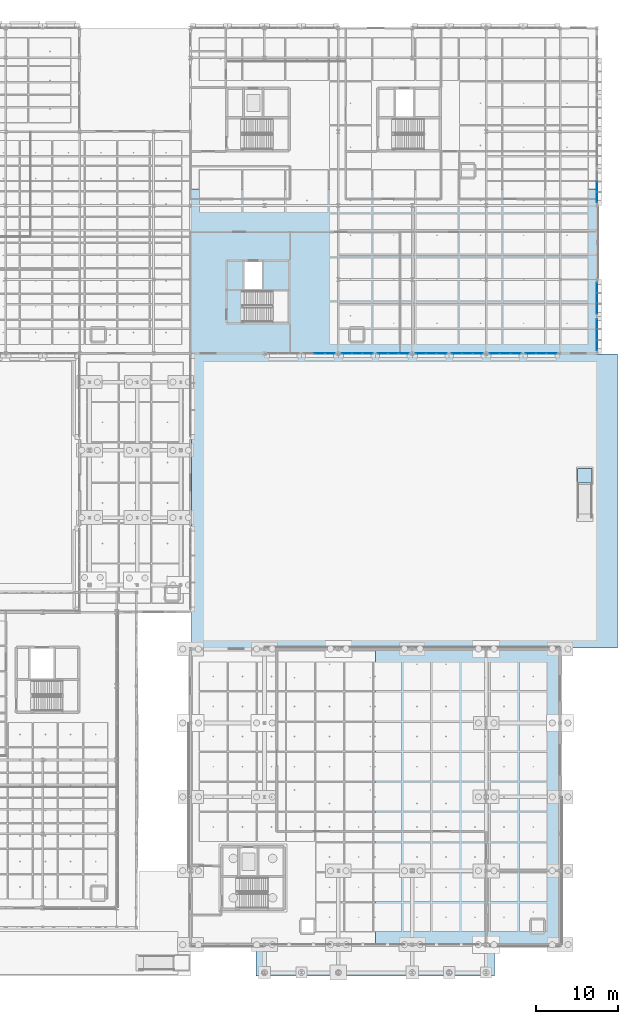
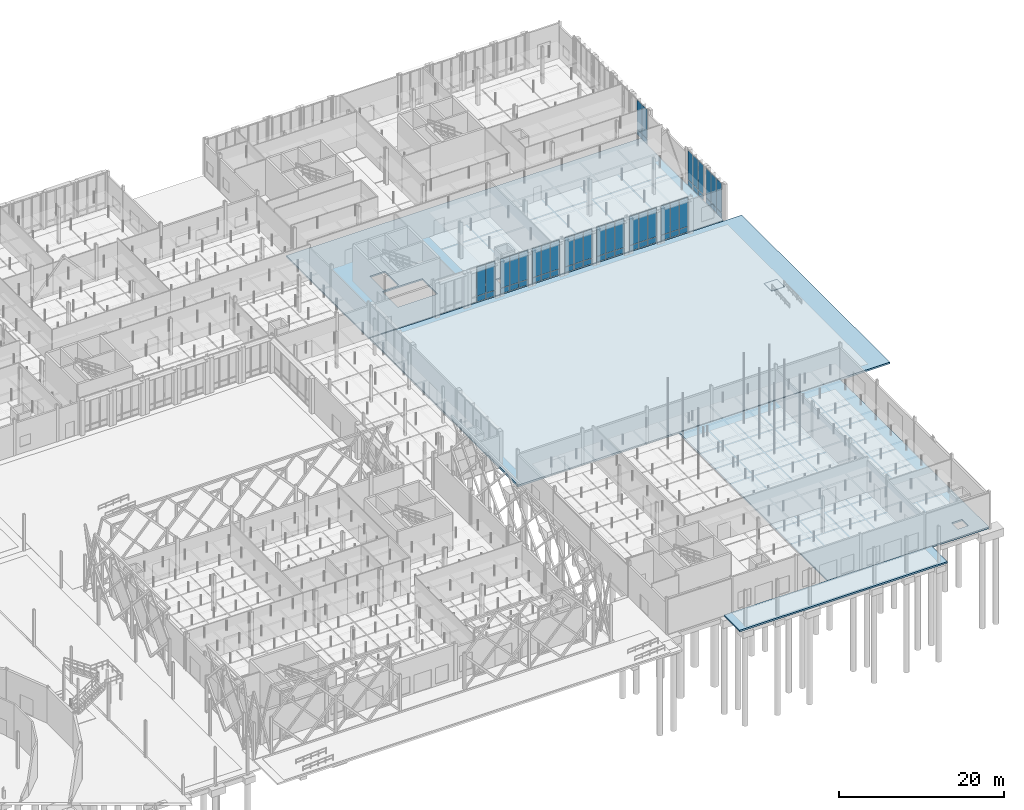
# One storey, part 74 of 180: 56 plates, 5 slabs, 11 elements without a shape of their own.
"""IFC4 building model written with IfcOpenShell, lengths in metres."""

from ifc_helpers import new_model, si_unit, direction, frame, origin, origin_2d, place, context, subcontext, project, spatial, polyline, rectangle, outline, extrude, material, layer, layer_set, type_object, element, aggregate, save


model = new_model("IFC4")

# Units and contexts
model_context = context("Model", 3, precision=1e-05, world=origin(), true_north=direction((0.0, 1.0)))
body_context = subcontext(model_context, "Body", "Model", "MODEL_VIEW")
ifc_project = project(units=[si_unit("LENGTHUNIT", "METRE"), si_unit("AREAUNIT", "SQUARE_METRE"), si_unit("VOLUMEUNIT", "CUBIC_METRE"), si_unit("PLANEANGLEUNIT", "RADIAN"), si_unit("MASSUNIT", "GRAM", prefix="KILO"), si_unit("THERMODYNAMICTEMPERATUREUNIT", "KELVIN"), si_unit("POWERUNIT", "WATT")], contexts=[model_context])

# Site, building, storey
site_placement = place(None, origin())
site = spatial("IfcSite", under=ifc_project, at=site_placement, CompositionType="ELEMENT")
building_placement = place(site_placement, origin())
building = spatial("IfcBuilding", under=site, at=building_placement, Name="Tallowbark Science Centre", CompositionType="ELEMENT")
storey_placement = place(building_placement, origin())
storey = spatial("IfcBuildingStorey", under=building, at=storey_placement, Name="L00", CompositionType="ELEMENT", Elevation=0.0)

# Curtain wall, plates
ifc_material_1 = material(Name="Unitised Thermally Broken Aluminium and Low-E Double Glazing", Category="aluminium")
curtain_wall_type = type_object("IfcCurtainWallType", Name="CW-SYS-FACADE", PredefinedType="NOTDEFINED", material=ifc_material_1)
curtain_wall_1_placement = place(storey_placement, origin())
curtain_wall_1 = element("IfcCurtainWall", 1, at=curtain_wall_1_placement, inside=storey, type_object=curtain_wall_type, Name="Unitised Curtain Wall OBS-S-130B CW-L00-097", PredefinedType="NOTDEFINED")
ifc_material_2 = material(Name="Double Glazed Argon Low-E Vision Glass", Category="glass")
ifc_layer_1 = layer(ifc_material_2, 0.028076171875)
ifc_layer_set_1 = layer_set([ifc_layer_1], Name="Double Glazed Argon Low-E Vision Glass")
plate_type_1 = type_object("IfcPlateType", Name="CWP-GLZ-28", PredefinedType="CURTAIN_PANEL", material=ifc_layer_set_1)
plate_1_placement = place(storey_placement, frame((135.916259765625, 72.0, 0.054931640625), z_axis=(0.0, 0.0, 1.0), x_axis=(1.0, 0.0, 0.0)))
plate_1 = element("IfcPlate", 2, at=plate_1_placement, type_object=plate_type_1, Name="CW-01 panel 1.1", PredefinedType="CURTAIN_PANEL", context=body_context, shape_type="SweptSolid", body=[
    extrude(rectangle(XDim=1.202392578125, YDim=0.028076171875, at=origin_2d()), origin(), (0.0, 0.0, 1.0), 0.767578125),
])
plate_2_placement = place(storey_placement, frame((135.916259765625, 72.0, 0.87744140625), z_axis=(0.0, 0.0, 1.0), x_axis=(1.0, 0.0, 0.0)))
plate_2 = element("IfcPlate", 3, at=plate_2_placement, type_object=plate_type_1, Name="CW-01 panel 1.2", PredefinedType="CURTAIN_PANEL", context=body_context, shape_type="SweptSolid", body=[
    extrude(rectangle(XDim=1.202392578125, YDim=0.028076171875, at=origin_2d()), origin(), (0.0, 0.0, 1.0), 4.28759765625),
])
plate_3_placement = place(storey_placement, frame((137.199951171875, 72.0, 0.054931640625), z_axis=(0.0, 0.0, 1.0), x_axis=(1.0, 0.0, 0.0)))
plate_3 = element("IfcPlate", 4, at=plate_3_placement, type_object=plate_type_1, Name="CW-01 panel 2.1", PredefinedType="CURTAIN_PANEL", context=body_context, shape_type="SweptSolid", body=[
    extrude(rectangle(XDim=1.235107421875, YDim=0.028076171875, at=origin_2d()), origin(), (0.0, 0.0, 1.0), 0.767578125),
])
plate_4_placement = place(storey_placement, frame((137.199951171875, 72.0, 0.87744140625), z_axis=(0.0, 0.0, 1.0), x_axis=(1.0, 0.0, 0.0)))
plate_4 = element("IfcPlate", 5, at=plate_4_placement, type_object=plate_type_1, Name="CW-01 panel 2.2", PredefinedType="CURTAIN_PANEL", context=body_context, shape_type="SweptSolid", body=[
    extrude(rectangle(XDim=1.235107421875, YDim=0.028076171875, at=origin_2d()), origin(), (0.0, 0.0, 1.0), 4.28759765625),
])
plate_5_placement = place(storey_placement, frame((138.483642578125, 72.0, 0.054931640625), z_axis=(0.0, 0.0, 1.0), x_axis=(1.0, 0.0, 0.0)))
plate_5 = element("IfcPlate", 6, at=plate_5_placement, type_object=plate_type_1, Name="CW-01 panel 3.1", PredefinedType="CURTAIN_PANEL", context=body_context, shape_type="SweptSolid", body=[
    extrude(rectangle(XDim=1.202392578125, YDim=0.028076171875, at=origin_2d()), origin(), (0.0, 0.0, 1.0), 0.767578125),
])
plate_6_placement = place(storey_placement, frame((138.483642578125, 72.0, 0.87744140625), z_axis=(0.0, 0.0, 1.0), x_axis=(1.0, 0.0, 0.0)))
plate_6 = element("IfcPlate", 7, at=plate_6_placement, type_object=plate_type_1, Name="CW-01 panel 3.2", PredefinedType="CURTAIN_PANEL", context=body_context, shape_type="SweptSolid", body=[
    extrude(rectangle(XDim=1.202392578125, YDim=0.028076171875, at=origin_2d()), origin(), (0.0, 0.0, 1.0), 4.28759765625),
])
aggregate(curtain_wall_1, [plate_1, plate_2, plate_3, plate_4, plate_5, plate_6])

curtain_wall_2_placement = place(storey_placement, origin())
curtain_wall_2 = element("IfcCurtainWall", 8, at=curtain_wall_2_placement, inside=storey, type_object=curtain_wall_type, Name="Unitised Curtain Wall OBS-S-139A CW-L00-098", PredefinedType="NOTDEFINED")
plate_7_placement = place(storey_placement, frame((140.516357421875, 72.0, 0.054931640625), z_axis=(0.0, 0.0, 1.0), x_axis=(1.0, 0.0, 0.0)))
plate_7 = element("IfcPlate", 9, at=plate_7_placement, type_object=plate_type_1, Name="CW-01 panel 1.1", PredefinedType="CURTAIN_PANEL", context=body_context, shape_type="SweptSolid", body=[
    extrude(rectangle(XDim=1.202392578125, YDim=0.028076171875, at=origin_2d()), origin(), (0.0, 0.0, 1.0), 0.767578125),
])
plate_8_placement = place(storey_placement, frame((140.516357421875, 72.0, 0.87744140625), z_axis=(0.0, 0.0, 1.0), x_axis=(1.0, 0.0, 0.0)))
plate_8 = element("IfcPlate", 10, at=plate_8_placement, type_object=plate_type_1, Name="CW-01 panel 1.2", PredefinedType="CURTAIN_PANEL", context=body_context, shape_type="SweptSolid", body=[
    extrude(rectangle(XDim=1.202392578125, YDim=0.028076171875, at=origin_2d()), origin(), (0.0, 0.0, 1.0), 4.28759765625),
])
plate_9_placement = place(storey_placement, frame((141.800048828125, 72.0, 0.054931640625), z_axis=(0.0, 0.0, 1.0), x_axis=(1.0, 0.0, 0.0)))
plate_9 = element("IfcPlate", 11, at=plate_9_placement, type_object=plate_type_1, Name="CW-01 panel 2.1", PredefinedType="CURTAIN_PANEL", context=body_context, shape_type="SweptSolid", body=[
    extrude(rectangle(XDim=1.235107421875, YDim=0.028076171875, at=origin_2d()), origin(), (0.0, 0.0, 1.0), 0.767578125),
])
plate_10_placement = place(storey_placement, frame((141.800048828125, 72.0, 0.87744140625), z_axis=(0.0, 0.0, 1.0), x_axis=(1.0, 0.0, 0.0)))
plate_10 = element("IfcPlate", 12, at=plate_10_placement, type_object=plate_type_1, Name="CW-01 panel 2.2", PredefinedType="CURTAIN_PANEL", context=body_context, shape_type="SweptSolid", body=[
    extrude(rectangle(XDim=1.235107421875, YDim=0.028076171875, at=origin_2d()), origin(), (0.0, 0.0, 1.0), 4.28759765625),
])
plate_11_placement = place(storey_placement, frame((143.083740234375, 72.0, 0.054931640625), z_axis=(0.0, 0.0, 1.0), x_axis=(1.0, 0.0, 0.0)))
plate_11 = element("IfcPlate", 13, at=plate_11_placement, type_object=plate_type_1, Name="CW-01 panel 3.1", PredefinedType="CURTAIN_PANEL", context=body_context, shape_type="SweptSolid", body=[
    extrude(rectangle(XDim=1.202392578125, YDim=0.028076171875, at=origin_2d()), origin(), (0.0, 0.0, 1.0), 0.767578125),
])
plate_12_placement = place(storey_placement, frame((143.083740234375, 72.0, 0.87744140625), z_axis=(0.0, 0.0, 1.0), x_axis=(1.0, 0.0, 0.0)))
plate_12 = element("IfcPlate", 14, at=plate_12_placement, type_object=plate_type_1, Name="CW-01 panel 3.2", PredefinedType="CURTAIN_PANEL", context=body_context, shape_type="SweptSolid", body=[
    extrude(rectangle(XDim=1.202392578125, YDim=0.028076171875, at=origin_2d()), origin(), (0.0, 0.0, 1.0), 4.28759765625),
])
aggregate(curtain_wall_2, [plate_7, plate_8, plate_9, plate_10, plate_11, plate_12])

curtain_wall_3_placement = place(storey_placement, origin())
curtain_wall_3 = element("IfcCurtainWall", 15, at=curtain_wall_3_placement, inside=storey, type_object=curtain_wall_type, Name="Unitised Curtain Wall OBS-S-148B CW-L00-103", PredefinedType="NOTDEFINED")
plate_13_placement = place(storey_placement, frame((153.916259765625, 72.0, 0.054931640625), z_axis=(0.0, 0.0, 1.0), x_axis=(1.0, 0.0, 0.0)))
plate_13 = element("IfcPlate", 16, at=plate_13_placement, type_object=plate_type_1, Name="CW-01 panel 1.1", PredefinedType="CURTAIN_PANEL", context=body_context, shape_type="SweptSolid", body=[
    extrude(rectangle(XDim=1.202392578125, YDim=0.028076171875, at=origin_2d()), origin(), (0.0, 0.0, 1.0), 0.767578125),
])
plate_14_placement = place(storey_placement, frame((153.916259765625, 72.0, 0.87744140625), z_axis=(0.0, 0.0, 1.0), x_axis=(1.0, 0.0, 0.0)))
plate_14 = element("IfcPlate", 17, at=plate_14_placement, type_object=plate_type_1, Name="CW-01 panel 1.2", PredefinedType="CURTAIN_PANEL", context=body_context, shape_type="SweptSolid", body=[
    extrude(rectangle(XDim=1.202392578125, YDim=0.028076171875, at=origin_2d()), origin(), (0.0, 0.0, 1.0), 4.28759765625),
])
plate_15_placement = place(storey_placement, frame((155.199951171875, 72.0, 0.054931640625), z_axis=(0.0, 0.0, 1.0), x_axis=(1.0, 0.0, 0.0)))
plate_15 = element("IfcPlate", 18, at=plate_15_placement, type_object=plate_type_1, Name="CW-01 panel 2.1", PredefinedType="CURTAIN_PANEL", context=body_context, shape_type="SweptSolid", body=[
    extrude(rectangle(XDim=1.235107421875, YDim=0.028076171875, at=origin_2d()), origin(), (0.0, 0.0, 1.0), 0.767578125),
])
plate_16_placement = place(storey_placement, frame((155.199951171875, 72.0, 0.87744140625), z_axis=(0.0, 0.0, 1.0), x_axis=(1.0, 0.0, 0.0)))
plate_16 = element("IfcPlate", 19, at=plate_16_placement, type_object=plate_type_1, Name="CW-01 panel 2.2", PredefinedType="CURTAIN_PANEL", context=body_context, shape_type="SweptSolid", body=[
    extrude(rectangle(XDim=1.235107421875, YDim=0.028076171875, at=origin_2d()), origin(), (0.0, 0.0, 1.0), 4.28759765625),
])
plate_17_placement = place(storey_placement, frame((156.483642578125, 72.0, 0.054931640625), z_axis=(0.0, 0.0, 1.0), x_axis=(1.0, 0.0, 0.0)))
plate_17 = element("IfcPlate", 20, at=plate_17_placement, type_object=plate_type_1, Name="CW-01 panel 3.1", PredefinedType="CURTAIN_PANEL", context=body_context, shape_type="SweptSolid", body=[
    extrude(rectangle(XDim=1.202392578125, YDim=0.028076171875, at=origin_2d()), origin(), (0.0, 0.0, 1.0), 0.767578125),
])
plate_18_placement = place(storey_placement, frame((156.483642578125, 72.0, 0.87744140625), z_axis=(0.0, 0.0, 1.0), x_axis=(1.0, 0.0, 0.0)))
plate_18 = element("IfcPlate", 21, at=plate_18_placement, type_object=plate_type_1, Name="CW-01 panel 3.2", PredefinedType="CURTAIN_PANEL", context=body_context, shape_type="SweptSolid", body=[
    extrude(rectangle(XDim=1.202392578125, YDim=0.028076171875, at=origin_2d()), origin(), (0.0, 0.0, 1.0), 4.28759765625),
])
aggregate(curtain_wall_3, [plate_13, plate_14, plate_15, plate_16, plate_17, plate_18])

curtain_wall_4_placement = place(storey_placement, origin())
curtain_wall_4 = element("IfcCurtainWall", 22, at=curtain_wall_4_placement, inside=storey, type_object=curtain_wall_type, Name="Unitised Curtain Wall OBS-E-72A CW-L00-106", PredefinedType="NOTDEFINED")
plate_19_placement = place(storey_placement, frame((162.0, 73.016357421875, 0.054931640625), z_axis=(0.0, 0.0, 1.0), x_axis=(0.0, 1.0, 0.0)))
plate_19 = element("IfcPlate", 23, at=plate_19_placement, type_object=plate_type_1, Name="CW-01 panel 1.1", PredefinedType="CURTAIN_PANEL", context=body_context, shape_type="SweptSolid", body=[
    extrude(rectangle(XDim=1.202392578125, YDim=0.028076171875, at=origin_2d()), origin(), (0.0, 0.0, 1.0), 0.767578125),
])
plate_20_placement = place(storey_placement, frame((162.0, 73.016357421875, 0.87744140625), z_axis=(0.0, 0.0, 1.0), x_axis=(0.0, 1.0, 0.0)))
plate_20 = element("IfcPlate", 24, at=plate_20_placement, type_object=plate_type_1, Name="CW-01 panel 1.2", PredefinedType="CURTAIN_PANEL", context=body_context, shape_type="SweptSolid", body=[
    extrude(rectangle(XDim=1.202392578125, YDim=0.028076171875, at=origin_2d()), origin(), (0.0, 0.0, 1.0), 4.28759765625),
])
plate_21_placement = place(storey_placement, frame((162.0, 74.300048828125, 0.054931640625), z_axis=(0.0, 0.0, 1.0), x_axis=(0.0, 1.0, 0.0)))
plate_21 = element("IfcPlate", 25, at=plate_21_placement, type_object=plate_type_1, Name="CW-01 panel 2.1", PredefinedType="CURTAIN_PANEL", context=body_context, shape_type="SweptSolid", body=[
    extrude(rectangle(XDim=1.235107421875, YDim=0.028076171875, at=origin_2d()), origin(), (0.0, 0.0, 1.0), 0.767578125),
])
plate_22_placement = place(storey_placement, frame((162.0, 74.300048828125, 0.87744140625), z_axis=(0.0, 0.0, 1.0), x_axis=(0.0, 1.0, 0.0)))
plate_22 = element("IfcPlate", 26, at=plate_22_placement, type_object=plate_type_1, Name="CW-01 panel 2.2", PredefinedType="CURTAIN_PANEL", context=body_context, shape_type="SweptSolid", body=[
    extrude(rectangle(XDim=1.235107421875, YDim=0.028076171875, at=origin_2d()), origin(), (0.0, 0.0, 1.0), 4.28759765625),
])
plate_23_placement = place(storey_placement, frame((162.0, 75.583740234375, 0.054931640625), z_axis=(0.0, 0.0, 1.0), x_axis=(0.0, 1.0, 0.0)))
plate_23 = element("IfcPlate", 27, at=plate_23_placement, type_object=plate_type_1, Name="CW-01 panel 3.1", PredefinedType="CURTAIN_PANEL", context=body_context, shape_type="SweptSolid", body=[
    extrude(rectangle(XDim=1.202392578125, YDim=0.028076171875, at=origin_2d()), origin(), (0.0, 0.0, 1.0), 0.767578125),
])
plate_24_placement = place(storey_placement, frame((162.0, 75.583740234375, 0.87744140625), z_axis=(0.0, 0.0, 1.0), x_axis=(0.0, 1.0, 0.0)))
plate_24 = element("IfcPlate", 28, at=plate_24_placement, type_object=plate_type_1, Name="CW-01 panel 3.2", PredefinedType="CURTAIN_PANEL", context=body_context, shape_type="SweptSolid", body=[
    extrude(rectangle(XDim=1.202392578125, YDim=0.028076171875, at=origin_2d()), origin(), (0.0, 0.0, 1.0), 4.28759765625),
])
aggregate(curtain_wall_4, [plate_19, plate_20, plate_21, plate_22, plate_23, plate_24])

curtain_wall_5_placement = place(storey_placement, origin())
curtain_wall_5 = element("IfcCurtainWall", 29, at=curtain_wall_5_placement, inside=storey, type_object=curtain_wall_type, Name="Unitised Curtain Wall OBS-E-72B CW-L00-107", PredefinedType="NOTDEFINED")
plate_25_placement = place(storey_placement, frame((162.0, 77.416259765625, 0.054931640625), z_axis=(0.0, 0.0, 1.0), x_axis=(0.0, 1.0, 0.0)))
plate_25 = element("IfcPlate", 30, at=plate_25_placement, type_object=plate_type_1, Name="CW-01 panel 1.1", PredefinedType="CURTAIN_PANEL", context=body_context, shape_type="SweptSolid", body=[
    extrude(rectangle(XDim=1.202392578125, YDim=0.028076171875, at=origin_2d()), origin(), (0.0, 0.0, 1.0), 0.767578125),
])
plate_26_placement = place(storey_placement, frame((162.0, 77.416259765625, 0.87744140625), z_axis=(0.0, 0.0, 1.0), x_axis=(0.0, 1.0, 0.0)))
plate_26 = element("IfcPlate", 31, at=plate_26_placement, type_object=plate_type_1, Name="CW-01 panel 1.2", PredefinedType="CURTAIN_PANEL", context=body_context, shape_type="SweptSolid", body=[
    extrude(rectangle(XDim=1.202392578125, YDim=0.028076171875, at=origin_2d()), origin(), (0.0, 0.0, 1.0), 4.28759765625),
])
plate_27_placement = place(storey_placement, frame((162.0, 78.699951171875, 0.054931640625), z_axis=(0.0, 0.0, 1.0), x_axis=(0.0, 1.0, 0.0)))
plate_27 = element("IfcPlate", 32, at=plate_27_placement, type_object=plate_type_1, Name="CW-01 panel 2.1", PredefinedType="CURTAIN_PANEL", context=body_context, shape_type="SweptSolid", body=[
    extrude(rectangle(XDim=1.235107421875, YDim=0.028076171875, at=origin_2d()), origin(), (0.0, 0.0, 1.0), 0.767578125),
])
plate_28_placement = place(storey_placement, frame((162.0, 78.699951171875, 0.87744140625), z_axis=(0.0, 0.0, 1.0), x_axis=(0.0, 1.0, 0.0)))
plate_28 = element("IfcPlate", 33, at=plate_28_placement, type_object=plate_type_1, Name="CW-01 panel 2.2", PredefinedType="CURTAIN_PANEL", context=body_context, shape_type="SweptSolid", body=[
    extrude(rectangle(XDim=1.235107421875, YDim=0.028076171875, at=origin_2d()), origin(), (0.0, 0.0, 1.0), 4.28759765625),
])
plate_29_placement = place(storey_placement, frame((162.0, 79.983642578125, 0.054931640625), z_axis=(0.0, 0.0, 1.0), x_axis=(0.0, 1.0, 0.0)))
plate_29 = element("IfcPlate", 34, at=plate_29_placement, type_object=plate_type_1, Name="CW-01 panel 3.1", PredefinedType="CURTAIN_PANEL", context=body_context, shape_type="SweptSolid", body=[
    extrude(rectangle(XDim=1.202392578125, YDim=0.028076171875, at=origin_2d()), origin(), (0.0, 0.0, 1.0), 0.767578125),
])
plate_30_placement = place(storey_placement, frame((162.0, 79.983642578125, 0.87744140625), z_axis=(0.0, 0.0, 1.0), x_axis=(0.0, 1.0, 0.0)))
plate_30 = element("IfcPlate", 35, at=plate_30_placement, type_object=plate_type_1, Name="CW-01 panel 3.2", PredefinedType="CURTAIN_PANEL", context=body_context, shape_type="SweptSolid", body=[
    extrude(rectangle(XDim=1.202392578125, YDim=0.028076171875, at=origin_2d()), origin(), (0.0, 0.0, 1.0), 4.28759765625),
])
aggregate(curtain_wall_5, [plate_25, plate_26, plate_27, plate_28, plate_29, plate_30])

curtain_wall_6_placement = place(storey_placement, origin())
curtain_wall_6 = element("IfcCurtainWall", 36, at=curtain_wall_6_placement, inside=storey, type_object=curtain_wall_type, Name="Unitised Curtain Wall OBS-S-121B CW-L00-093", PredefinedType="NOTDEFINED")
ifc_material_3 = material(Name="Ceramic-Fritted Insulated Glass Spandrel Panel", Category="glass")
ifc_layer_2 = layer(ifc_material_3, 0.031982421875)
ifc_layer_set_2 = layer_set([ifc_layer_2], Name="Ceramic-Fritted Insulated Glass Spandrel Panel")
plate_type_2 = type_object("IfcPlateType", Name="CWP-SPN-32", PredefinedType="CURTAIN_PANEL", material=ifc_layer_set_2)
plate_31_placement = place(storey_placement, frame((128.199951171875, 72.0, 0.054931640625), z_axis=(0.0, 0.0, 1.0), x_axis=(1.0, 0.0, 0.0)))
plate_31 = element("IfcPlate", 37, at=plate_31_placement, type_object=plate_type_2, Name="CW-01 panel 2.1", PredefinedType="CURTAIN_PANEL", context=body_context, shape_type="SweptSolid", body=[
    extrude(rectangle(XDim=1.235107421875, YDim=0.031982421875, at=origin_2d()), origin(), (0.0, 0.0, 1.0), 0.767578125),
])
plate_32_placement = place(storey_placement, frame((128.199951171875, 72.0, 0.87744140625), z_axis=(0.0, 0.0, 1.0), x_axis=(1.0, 0.0, 0.0)))
plate_32 = element("IfcPlate", 38, at=plate_32_placement, type_object=plate_type_2, Name="CW-01 panel 2.2", PredefinedType="CURTAIN_PANEL", context=body_context, shape_type="SweptSolid", body=[
    extrude(rectangle(XDim=1.235107421875, YDim=0.031982421875, at=origin_2d()), origin(), (0.0, 0.0, 1.0), 4.28759765625),
])
plate_33_placement = place(storey_placement, frame((129.483642578125, 72.0, 0.054931640625), z_axis=(0.0, 0.0, 1.0), x_axis=(1.0, 0.0, 0.0)))
plate_33 = element("IfcPlate", 39, at=plate_33_placement, type_object=plate_type_2, Name="CW-01 panel 3.1", PredefinedType="CURTAIN_PANEL", context=body_context, shape_type="SweptSolid", body=[
    extrude(rectangle(XDim=1.202392578125, YDim=0.031982421875, at=origin_2d()), origin(), (0.0, 0.0, 1.0), 0.767578125),
])
plate_34_placement = place(storey_placement, frame((129.483642578125, 72.0, 0.87744140625), z_axis=(0.0, 0.0, 1.0), x_axis=(1.0, 0.0, 0.0)))
plate_34 = element("IfcPlate", 40, at=plate_34_placement, type_object=plate_type_2, Name="CW-01 panel 3.2", PredefinedType="CURTAIN_PANEL", context=body_context, shape_type="SweptSolid", body=[
    extrude(rectangle(XDim=1.202392578125, YDim=0.031982421875, at=origin_2d()), origin(), (0.0, 0.0, 1.0), 4.28759765625),
])
aggregate(curtain_wall_6, [plate_31, plate_32, plate_33, plate_34])

curtain_wall_7_placement = place(storey_placement, origin())
curtain_wall_7 = element("IfcCurtainWall", 41, at=curtain_wall_7_placement, inside=storey, type_object=curtain_wall_type, Name="Unitised Curtain Wall OBS-S-130A CW-L00-096", PredefinedType="NOTDEFINED")
plate_35_placement = place(storey_placement, frame((131.516357421875, 72.0, 0.054931640625), z_axis=(0.0, 0.0, 1.0), x_axis=(1.0, 0.0, 0.0)))
plate_35 = element("IfcPlate", 42, at=plate_35_placement, type_object=plate_type_2, Name="CW-01 panel 1.1", PredefinedType="CURTAIN_PANEL", context=body_context, shape_type="SweptSolid", body=[
    extrude(rectangle(XDim=1.202392578125, YDim=0.031982421875, at=origin_2d()), origin(), (0.0, 0.0, 1.0), 0.767578125),
])
plate_36_placement = place(storey_placement, frame((131.516357421875, 72.0, 0.87744140625), z_axis=(0.0, 0.0, 1.0), x_axis=(1.0, 0.0, 0.0)))
plate_36 = element("IfcPlate", 43, at=plate_36_placement, type_object=plate_type_2, Name="CW-01 panel 1.2", PredefinedType="CURTAIN_PANEL", context=body_context, shape_type="SweptSolid", body=[
    extrude(rectangle(XDim=1.202392578125, YDim=0.031982421875, at=origin_2d()), origin(), (0.0, 0.0, 1.0), 4.28759765625),
])
plate_37_placement = place(storey_placement, frame((132.800048828125, 72.0, 0.054931640625), z_axis=(0.0, 0.0, 1.0), x_axis=(1.0, 0.0, 0.0)))
plate_37 = element("IfcPlate", 44, at=plate_37_placement, type_object=plate_type_2, Name="CW-01 panel 2.1", PredefinedType="CURTAIN_PANEL", context=body_context, shape_type="SweptSolid", body=[
    extrude(rectangle(XDim=1.235107421875, YDim=0.031982421875, at=origin_2d()), origin(), (0.0, 0.0, 1.0), 0.767578125),
])
plate_38_placement = place(storey_placement, frame((132.800048828125, 72.0, 0.87744140625), z_axis=(0.0, 0.0, 1.0), x_axis=(1.0, 0.0, 0.0)))
plate_38 = element("IfcPlate", 45, at=plate_38_placement, type_object=plate_type_2, Name="CW-01 panel 2.2", PredefinedType="CURTAIN_PANEL", context=body_context, shape_type="SweptSolid", body=[
    extrude(rectangle(XDim=1.235107421875, YDim=0.031982421875, at=origin_2d()), origin(), (0.0, 0.0, 1.0), 4.28759765625),
])
plate_39_placement = place(storey_placement, frame((134.083740234375, 72.0, 0.054931640625), z_axis=(0.0, 0.0, 1.0), x_axis=(1.0, 0.0, 0.0)))
plate_39 = element("IfcPlate", 46, at=plate_39_placement, type_object=plate_type_2, Name="CW-01 panel 3.1", PredefinedType="CURTAIN_PANEL", context=body_context, shape_type="SweptSolid", body=[
    extrude(rectangle(XDim=1.202392578125, YDim=0.031982421875, at=origin_2d()), origin(), (0.0, 0.0, 1.0), 0.767578125),
])
plate_40_placement = place(storey_placement, frame((134.083740234375, 72.0, 0.87744140625), z_axis=(0.0, 0.0, 1.0), x_axis=(1.0, 0.0, 0.0)))
plate_40 = element("IfcPlate", 47, at=plate_40_placement, type_object=plate_type_2, Name="CW-01 panel 3.2", PredefinedType="CURTAIN_PANEL", context=body_context, shape_type="SweptSolid", body=[
    extrude(rectangle(XDim=1.202392578125, YDim=0.031982421875, at=origin_2d()), origin(), (0.0, 0.0, 1.0), 4.28759765625),
])
aggregate(curtain_wall_7, [plate_35, plate_36, plate_37, plate_38, plate_39, plate_40])

curtain_wall_8_placement = place(storey_placement, origin())
curtain_wall_8 = element("IfcCurtainWall", 48, at=curtain_wall_8_placement, inside=storey, type_object=curtain_wall_type, Name="Unitised Curtain Wall OBS-S-139B CW-L00-099", PredefinedType="NOTDEFINED")
plate_41_placement = place(storey_placement, frame((144.916259765625, 72.0, 0.054931640625), z_axis=(0.0, 0.0, 1.0), x_axis=(1.0, 0.0, 0.0)))
plate_41 = element("IfcPlate", 49, at=plate_41_placement, type_object=plate_type_2, Name="CW-01 panel 1.1", PredefinedType="CURTAIN_PANEL", context=body_context, shape_type="SweptSolid", body=[
    extrude(rectangle(XDim=1.202392578125, YDim=0.031982421875, at=origin_2d()), origin(), (0.0, 0.0, 1.0), 0.767578125),
])
plate_42_placement = place(storey_placement, frame((144.916259765625, 72.0, 0.87744140625), z_axis=(0.0, 0.0, 1.0), x_axis=(1.0, 0.0, 0.0)))
plate_42 = element("IfcPlate", 50, at=plate_42_placement, type_object=plate_type_2, Name="CW-01 panel 1.2", PredefinedType="CURTAIN_PANEL", context=body_context, shape_type="SweptSolid", body=[
    extrude(rectangle(XDim=1.202392578125, YDim=0.031982421875, at=origin_2d()), origin(), (0.0, 0.0, 1.0), 4.28759765625),
])
plate_43_placement = place(storey_placement, frame((146.199951171875, 72.0, 0.054931640625), z_axis=(0.0, 0.0, 1.0), x_axis=(1.0, 0.0, 0.0)))
plate_43 = element("IfcPlate", 51, at=plate_43_placement, type_object=plate_type_2, Name="CW-01 panel 2.1", PredefinedType="CURTAIN_PANEL", context=body_context, shape_type="SweptSolid", body=[
    extrude(rectangle(XDim=1.235107421875, YDim=0.031982421875, at=origin_2d()), origin(), (0.0, 0.0, 1.0), 0.767578125),
])
plate_44_placement = place(storey_placement, frame((146.199951171875, 72.0, 0.87744140625), z_axis=(0.0, 0.0, 1.0), x_axis=(1.0, 0.0, 0.0)))
plate_44 = element("IfcPlate", 52, at=plate_44_placement, type_object=plate_type_2, Name="CW-01 panel 2.2", PredefinedType="CURTAIN_PANEL", context=body_context, shape_type="SweptSolid", body=[
    extrude(rectangle(XDim=1.235107421875, YDim=0.031982421875, at=origin_2d()), origin(), (0.0, 0.0, 1.0), 4.28759765625),
])
plate_45_placement = place(storey_placement, frame((147.483642578125, 72.0, 0.054931640625), z_axis=(0.0, 0.0, 1.0), x_axis=(1.0, 0.0, 0.0)))
plate_45 = element("IfcPlate", 53, at=plate_45_placement, type_object=plate_type_2, Name="CW-01 panel 3.1", PredefinedType="CURTAIN_PANEL", context=body_context, shape_type="SweptSolid", body=[
    extrude(rectangle(XDim=1.202392578125, YDim=0.031982421875, at=origin_2d()), origin(), (0.0, 0.0, 1.0), 0.767578125),
])
plate_46_placement = place(storey_placement, frame((147.483642578125, 72.0, 0.87744140625), z_axis=(0.0, 0.0, 1.0), x_axis=(1.0, 0.0, 0.0)))
plate_46 = element("IfcPlate", 54, at=plate_46_placement, type_object=plate_type_2, Name="CW-01 panel 3.2", PredefinedType="CURTAIN_PANEL", context=body_context, shape_type="SweptSolid", body=[
    extrude(rectangle(XDim=1.202392578125, YDim=0.031982421875, at=origin_2d()), origin(), (0.0, 0.0, 1.0), 4.28759765625),
])
aggregate(curtain_wall_8, [plate_41, plate_42, plate_43, plate_44, plate_45, plate_46])

curtain_wall_9_placement = place(storey_placement, origin())
curtain_wall_9 = element("IfcCurtainWall", 55, at=curtain_wall_9_placement, inside=storey, type_object=curtain_wall_type, Name="Unitised Curtain Wall OBS-S-148A CW-L00-102", PredefinedType="NOTDEFINED")
plate_47_placement = place(storey_placement, frame((149.516357421875, 72.0, 0.054931640625), z_axis=(0.0, 0.0, 1.0), x_axis=(1.0, 0.0, 0.0)))
plate_47 = element("IfcPlate", 56, at=plate_47_placement, type_object=plate_type_2, Name="CW-01 panel 1.1", PredefinedType="CURTAIN_PANEL", context=body_context, shape_type="SweptSolid", body=[
    extrude(rectangle(XDim=1.202392578125, YDim=0.031982421875, at=origin_2d()), origin(), (0.0, 0.0, 1.0), 0.767578125),
])
plate_48_placement = place(storey_placement, frame((149.516357421875, 72.0, 0.87744140625), z_axis=(0.0, 0.0, 1.0), x_axis=(1.0, 0.0, 0.0)))
plate_48 = element("IfcPlate", 57, at=plate_48_placement, type_object=plate_type_2, Name="CW-01 panel 1.2", PredefinedType="CURTAIN_PANEL", context=body_context, shape_type="SweptSolid", body=[
    extrude(rectangle(XDim=1.202392578125, YDim=0.031982421875, at=origin_2d()), origin(), (0.0, 0.0, 1.0), 4.28759765625),
])
plate_49_placement = place(storey_placement, frame((150.800048828125, 72.0, 0.054931640625), z_axis=(0.0, 0.0, 1.0), x_axis=(1.0, 0.0, 0.0)))
plate_49 = element("IfcPlate", 58, at=plate_49_placement, type_object=plate_type_2, Name="CW-01 panel 2.1", PredefinedType="CURTAIN_PANEL", context=body_context, shape_type="SweptSolid", body=[
    extrude(rectangle(XDim=1.235107421875, YDim=0.031982421875, at=origin_2d()), origin(), (0.0, 0.0, 1.0), 0.767578125),
])
plate_50_placement = place(storey_placement, frame((150.800048828125, 72.0, 0.87744140625), z_axis=(0.0, 0.0, 1.0), x_axis=(1.0, 0.0, 0.0)))
plate_50 = element("IfcPlate", 59, at=plate_50_placement, type_object=plate_type_2, Name="CW-01 panel 2.2", PredefinedType="CURTAIN_PANEL", context=body_context, shape_type="SweptSolid", body=[
    extrude(rectangle(XDim=1.235107421875, YDim=0.031982421875, at=origin_2d()), origin(), (0.0, 0.0, 1.0), 4.28759765625),
])
plate_51_placement = place(storey_placement, frame((152.083740234375, 72.0, 0.054931640625), z_axis=(0.0, 0.0, 1.0), x_axis=(1.0, 0.0, 0.0)))
plate_51 = element("IfcPlate", 60, at=plate_51_placement, type_object=plate_type_2, Name="CW-01 panel 3.1", PredefinedType="CURTAIN_PANEL", context=body_context, shape_type="SweptSolid", body=[
    extrude(rectangle(XDim=1.202392578125, YDim=0.031982421875, at=origin_2d()), origin(), (0.0, 0.0, 1.0), 0.767578125),
])
plate_52_placement = place(storey_placement, frame((152.083740234375, 72.0, 0.87744140625), z_axis=(0.0, 0.0, 1.0), x_axis=(1.0, 0.0, 0.0)))
plate_52 = element("IfcPlate", 61, at=plate_52_placement, type_object=plate_type_2, Name="CW-01 panel 3.2", PredefinedType="CURTAIN_PANEL", context=body_context, shape_type="SweptSolid", body=[
    extrude(rectangle(XDim=1.202392578125, YDim=0.031982421875, at=origin_2d()), origin(), (0.0, 0.0, 1.0), 4.28759765625),
])
aggregate(curtain_wall_9, [plate_47, plate_48, plate_49, plate_50, plate_51, plate_52])

curtain_wall_10_placement = place(storey_placement, origin())
curtain_wall_10 = element("IfcCurtainWall", 62, at=curtain_wall_10_placement, inside=storey, type_object=curtain_wall_type, Name="Unitised Curtain Wall OBS-E-90A CW-L00-108", PredefinedType="NOTDEFINED")
plate_53_placement = place(storey_placement, frame((162.0, 91.016357421875, 0.054931640625), z_axis=(0.0, 0.0, 1.0), x_axis=(0.0, 1.0, 0.0)))
plate_53 = element("IfcPlate", 63, at=plate_53_placement, type_object=plate_type_2, Name="CW-01 panel 1.1", PredefinedType="CURTAIN_PANEL", context=body_context, shape_type="SweptSolid", body=[
    extrude(rectangle(XDim=1.202392578125, YDim=0.031982421875, at=origin_2d()), origin(), (0.0, 0.0, 1.0), 0.767578125),
])
plate_54_placement = place(storey_placement, frame((162.0, 91.016357421875, 0.87744140625), z_axis=(0.0, 0.0, 1.0), x_axis=(0.0, 1.0, 0.0)))
plate_54 = element("IfcPlate", 64, at=plate_54_placement, type_object=plate_type_2, Name="CW-01 panel 1.2", PredefinedType="CURTAIN_PANEL", context=body_context, shape_type="SweptSolid", body=[
    extrude(rectangle(XDim=1.202392578125, YDim=0.031982421875, at=origin_2d()), origin(), (0.0, 0.0, 1.0), 4.28759765625),
])
plate_55_placement = place(storey_placement, frame((162.0, 92.300048828125, 0.054931640625), z_axis=(0.0, 0.0, 1.0), x_axis=(0.0, 1.0, 0.0)))
plate_55 = element("IfcPlate", 65, at=plate_55_placement, type_object=plate_type_2, Name="CW-01 panel 2.1", PredefinedType="CURTAIN_PANEL", context=body_context, shape_type="SweptSolid", body=[
    extrude(rectangle(XDim=1.235107421875, YDim=0.031982421875, at=origin_2d()), origin(), (0.0, 0.0, 1.0), 0.767578125),
])
plate_56_placement = place(storey_placement, frame((162.0, 92.300048828125, 0.87744140625), z_axis=(0.0, 0.0, 1.0), x_axis=(0.0, 1.0, 0.0)))
plate_56 = element("IfcPlate", 66, at=plate_56_placement, type_object=plate_type_2, Name="CW-01 panel 2.2", PredefinedType="CURTAIN_PANEL", context=body_context, shape_type="SweptSolid", body=[
    extrude(rectangle(XDim=1.235107421875, YDim=0.031982421875, at=origin_2d()), origin(), (0.0, 0.0, 1.0), 4.28759765625),
])
aggregate(curtain_wall_10, [plate_53, plate_54, plate_55, plate_56])

# Slabs
ifc_material_4 = material(Name="Concrete Grade N40 (40 MPa)", Category="concrete")
ifc_layer_3 = layer(ifc_material_4, 0.260009765625)
ifc_layer_set_3 = layer_set([ifc_layer_3], Name="Concrete Grade N40 (40 MPa)")
slab_type_1 = type_object("IfcSlabType", Name="SLB-BASE-260", PredefinedType="BASESLAB", material=ifc_layer_set_3)
slab_1_placement = place(storey_placement, frame((0.0, 0.0, -0.280029296875)))
element("IfcSlab", 67, at=slab_1_placement, inside=storey, type_object=slab_type_1, Name="Civic Sandstone Plaza Slab SLB-PLZ-CRT-E", PredefinedType="BASESLAB", context=body_context, shape_type="SweptSolid", body=[
    extrude(outline(polyline([(112.60009765625, 71.89990234375), (164.5, 71.89990234375), (164.5, 36.10009765625), (112.60009765625, 36.10009765625), (112.60009765625, 71.89990234375)]), holes=[polyline([(161.409912109375, 58.010009765625), (159.590087890625, 58.010009765625), (159.590087890625, 56.18994140625), (161.409912109375, 56.18994140625), (161.409912109375, 58.010009765625)])]), origin(), (0.0, 0.0, 1.0), 0.260009765625),
])
ifc_layer_4 = layer(ifc_material_4, 0.219970703125)
ifc_layer_set_4 = layer_set([ifc_layer_4], Name="Concrete Grade N40 (40 MPa)")
slab_type_2 = type_object("IfcSlabType", Name="SLB-GND-220", PredefinedType="FLOOR", material=ifc_layer_set_4)
slab_2_placement = place(storey_placement, frame((0.0, 0.0, -0.219970703125)))
element("IfcSlab", 68, at=slab_2_placement, inside=storey, type_object=slab_type_2, Name="Astronomy Wing South Slab L00 SLB-OBS-S-L00", PredefinedType="FLOOR", context=body_context, shape_type="SweptSolid", body=[
    extrude(outline(polyline([(112.52490234375, 72.0), (162.0, 72.0), (162.0, 92.0), (112.52490234375, 92.0), (112.52490234375, 72.0)]), holes=[polyline([(118.81005859375, 75.85009765625), (124.35009765625, 75.85009765625), (124.35009765625, 79.570068359375), (118.81005859375, 79.570068359375), (118.81005859375, 75.85009765625)]), polyline([(119.10009765625, 79.820068359375), (121.199951171875, 79.820068359375), (121.199951171875, 83.14990234375), (119.10009765625, 83.14990234375), (119.10009765625, 79.820068359375)]), polyline([(132.0, 73.5), (133.5, 73.5), (133.5, 75.0), (132.0, 75.0), (132.0, 73.5)])]), origin(), (0.0, 0.0, 1.0), 0.219970703125),
])
ifc_layer_5 = layer(ifc_material_4, 0.239990234375)
ifc_layer_set_5 = layer_set([ifc_layer_5], Name="Concrete Grade N40 (40 MPa)")
slab_type_3 = type_object("IfcSlabType", Name="SLB-GND-240", PredefinedType="FLOOR", material=ifc_layer_set_5)
slab_3_placement = place(storey_placement, frame((0.0, 0.0, -0.239990234375)))
element("IfcSlab", 69, at=slab_3_placement, inside=storey, type_object=slab_type_3, Name="Theatre Postmodern Colonnade Portico Plinth SLB-THT-POR-L00", PredefinedType="FLOOR", context=body_context, shape_type="SweptSolid", body=[
    extrude(outline(polyline([(120.5, -3.800048828125), (149.5, -3.800048828125), (149.5, 0.0), (120.5, 0.0), (120.5, -3.800048828125)])), origin(), (0.0, 0.0, 1.0), 0.239990234375),
])
slab_4_placement = place(storey_placement, frame((0.0, 0.0, -0.239990234375)))
element("IfcSlab", 70, at=slab_4_placement, inside=storey, type_object=slab_type_3, Name="Theatre East Slab SLB-THT-E-L00", PredefinedType="FLOOR", context=body_context, shape_type="SweptSolid", body=[
    extrude(outline(polyline([(135.0, 0.0), (157.5, 0.0), (157.5, 36.0), (135.0, 36.0), (135.0, 0.0)]), holes=[polyline([(154.0, 1.5), (155.5, 1.5), (155.5, 3.0), (154.0, 3.0), (154.0, 1.5)])]), origin(), (0.0, 0.0, 1.0), 0.239990234375),
])

# Ramp, slab
ramp_type = type_object("IfcRampType", Name="RMP-ACC-14", PredefinedType="STRAIGHT_RUN_RAMP", material=ifc_material_4)
ramp_placement = place(storey_placement, origin())
ramp = element("IfcRamp", 71, at=ramp_placement, inside=storey, type_object=ramp_type, Name="Accessible 1:14 Ramp RMP-06", PredefinedType="STRAIGHT_RUN_RAMP")
ifc_layer_6 = layer(ifc_material_4, 0.159912109375)
ifc_layer_set_6 = layer_set([ifc_layer_6], Name="Concrete Grade N40 (40 MPa)")
slab_type_4 = type_object("IfcSlabType", Name="SLB-LND-160", PredefinedType="LANDING", material=ifc_layer_set_6)
slab_5_placement = place(storey_placement, frame((0.0, 0.0, -0.159912109375)))
slab_5 = element("IfcSlab", 72, at=slab_5_placement, type_object=slab_type_4, Name="Ramp Arrival Landing RMP-06", PredefinedType="LANDING", context=body_context, shape_type="SweptSolid", body=[
    extrude(outline(polyline([(159.60009765625, 56.199951171875), (161.39990234375, 56.199951171875), (161.39990234375, 58.0), (159.60009765625, 58.0), (159.60009765625, 56.199951171875)])), origin(), (0.0, 0.0, 1.0), 0.159912109375),
])
aggregate(ramp, [slab_5])

save(model, "model.ifc")
